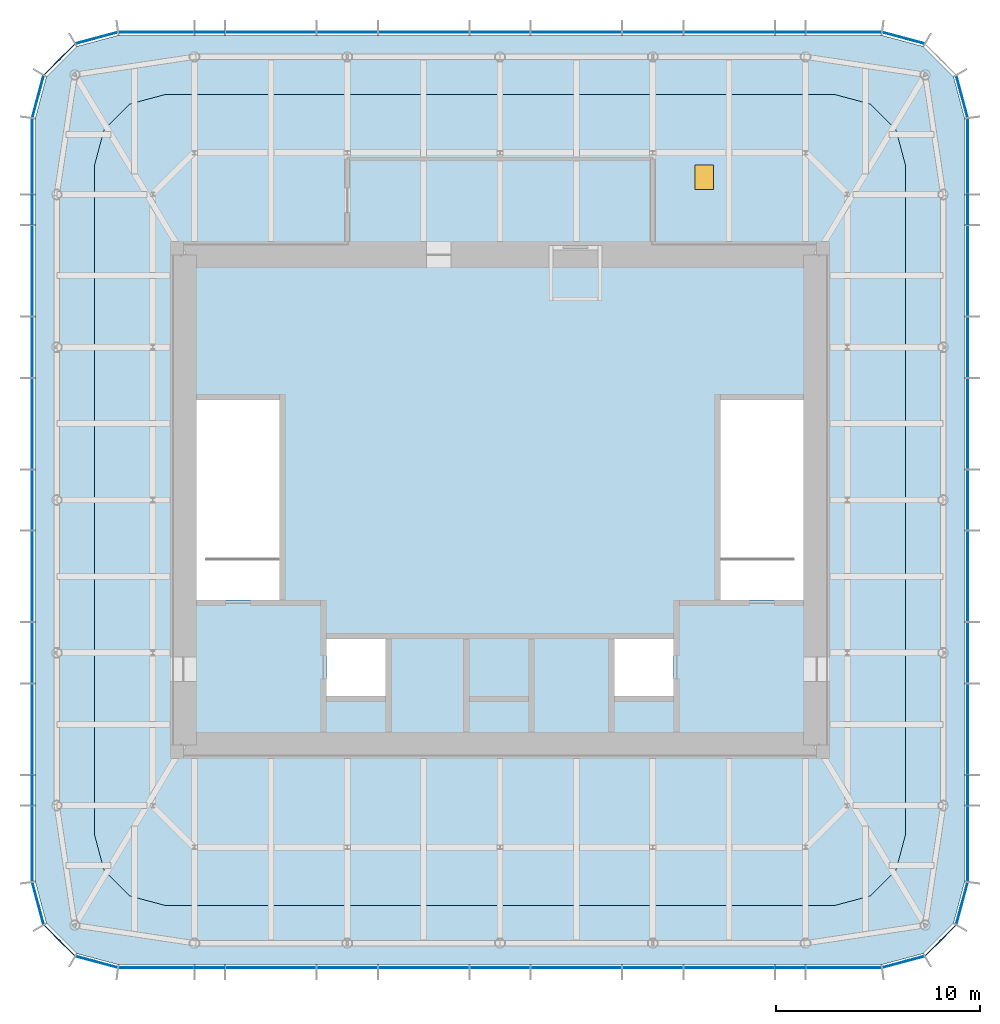
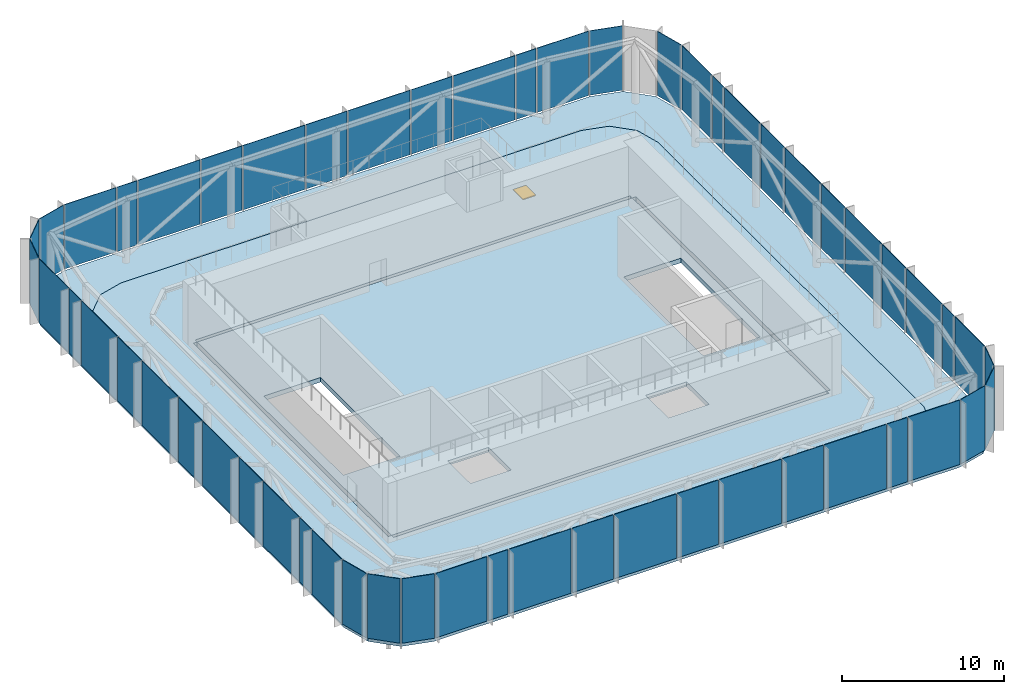
# One storey, part 10 of 12: 55 plates, 3 slabs, 1 door, 1 opening, 8 elements without a shape of their own.
"""IFC4 building model written with IfcOpenShell, lengths in metres."""

import ifcopenshell
import ifcopenshell.guid

model = None  # the IFC model being written
_history = None  # IfcOwnerHistory: only IFC2X3 demands one
_inside = {}  # id of a spatial element -> (the spatial element, [elements in it])
_under = {}  # id of a project, library or spatial element -> (it, [spatial elements below it])
_declared = {}  # id of a project -> (the project, [libraries it declares])
_typed = {}  # id of a type object -> (the type object, [elements of that type])
_made_of = {}  # id of a material, layer set ... -> (it, [elements and type objects made of it])


def new_model(schema):
    """Start an empty IFC model of exactly this schema.

    Asked for "IFC4X3", IfcOpenShell would pick the latest addendum, in which some entities
    have other attributes; the version numbers below select the first issue.
    IFC2X3 requires an IfcOwnerHistory on every rooted entity: one is made here for all.
    """
    global model, _history
    if schema == "IFC4X3":
        model = ifcopenshell.file(schema_version=(4, 3, 0, 0))
    else:
        model = ifcopenshell.file(schema=schema)
    _inside.clear()
    _under.clear()
    _declared.clear()
    _typed.clear()
    _made_of.clear()
    _history = None
    if model.schema == "IFC2X3":
        org = make("IfcOrganization", Name="unknown")
        user = make(
            "IfcPersonAndOrganization",
            ThePerson=make("IfcPerson", FamilyName="unknown"),
            TheOrganization=org,
        )
        app = make(
            "IfcApplication",
            ApplicationDeveloper=org,
            Version="unknown",
            ApplicationFullName="unknown",
            ApplicationIdentifier="unknown",
        )
        _history = make(
            "IfcOwnerHistory",
            OwningUser=user,
            OwningApplication=app,
            ChangeAction="ADDED",
            CreationDate=0,
        )
    return model


def make(cls, **values):
    """One entity of the class cls with the attributes given. An attribute that is None is left unset."""
    return model.create_entity(
        cls, **{name: value for name, value in values.items() if value is not None}
    )


def rooted(cls, **values):
    """An entity with a GlobalId (a new one), such as an element, a storey or a relation."""
    return make(cls, GlobalId=ifcopenshell.guid.new(), OwnerHistory=_history, **values)


def si_unit(unit_type, name, prefix=None):
    """IfcSIUnit, for example si_unit("LENGTHUNIT", "METRE", prefix="MILLI")."""
    return make("IfcSIUnit", UnitType=unit_type, Prefix=prefix, Name=name)


def assignment(units):
    """IfcUnitAssignment: the units of a project."""
    return None if units is None else make("IfcUnitAssignment", Units=units)


def point(xyz):
    """IfcCartesianPoint."""
    return None if xyz is None else make("IfcCartesianPoint", Coordinates=xyz)


def direction(xyz):
    """IfcDirection."""
    return None if xyz is None else make("IfcDirection", DirectionRatios=xyz)


def frame(location, z_axis=None, x_axis=None):
    """IfcAxis2Placement3D, a coordinate frame: its origin and axes. An axis left out is left unset."""
    return make(
        "IfcAxis2Placement3D",
        Location=point(location),
        Axis=direction(z_axis),
        RefDirection=direction(x_axis),
    )


def frame_2d(location, x_axis=None):
    """IfcAxis2Placement2D, a coordinate frame in the plane: its origin and x axis."""
    return make(
        "IfcAxis2Placement2D", Location=point(location), RefDirection=direction(x_axis)
    )


def origin():
    """The frame at (0, 0, 0) with its axes left unset."""
    return frame((0.0, 0.0, 0.0))


def origin_2d():
    """The frame at (0, 0) in the plane with its x axis left unset."""
    return frame_2d((0.0, 0.0))


def place(relative_to, where):
    """IfcLocalPlacement: puts the frame where relative to a parent placement (None: the world)."""
    return make(
        "IfcLocalPlacement", PlacementRelTo=relative_to, RelativePlacement=where
    )


def context(
    kind, dimensions, precision=None, world=None, true_north=None, identifier=None
):
    """IfcGeometricRepresentationContext, for example the 3D "Model" context."""
    return make(
        "IfcGeometricRepresentationContext",
        ContextIdentifier=identifier,
        ContextType=kind,
        CoordinateSpaceDimension=dimensions,
        Precision=precision,
        WorldCoordinateSystem=world,
        TrueNorth=true_north,
    )


def subcontext(parent, identifier, kind, view, scale=None):
    """IfcGeometricRepresentationSubContext, for example "Body" below "Model"."""
    return make(
        "IfcGeometricRepresentationSubContext",
        ContextIdentifier=identifier,
        ContextType=kind,
        ParentContext=parent,
        TargetScale=scale,
        TargetView=view,
    )


def project(units=None, contexts=None):
    """IfcProject with its units and contexts."""
    return rooted(
        "IfcProject",
        Name="project",
        RepresentationContexts=contexts,
        UnitsInContext=assignment(units),
    )


def spatial(cls, under=None, at=None, **own):
    """A site, building, storey or space (cls), placed at a placement, below another one or the project."""
    s = rooted(cls, ObjectPlacement=at, **own)
    if under is not None:
        _under.setdefault(under.id(), (under, []))[1].append(s)
    return s


def polyline(points):
    """IfcPolyline through the points."""
    return make("IfcPolyline", Points=[point(p) for p in points])


def profile(cls, at=None, kind="AREA", **sizes):
    """A parametric profile (cls). Its sizes go by their IFC names, for example OverallWidth=200.0."""
    return make(cls, ProfileType=kind, Position=at, **sizes)


def rectangle(**sizes):
    """IfcRectangleProfileDef."""
    return profile("IfcRectangleProfileDef", **sizes)


def outline(outer, holes=None, kind="AREA"):
    """IfcArbitraryClosedProfileDef: a profile drawn as a closed curve; with holes, ...WithVoids."""
    if holes is None:
        return make("IfcArbitraryClosedProfileDef", ProfileType=kind, OuterCurve=outer)
    return make(
        "IfcArbitraryProfileDefWithVoids",
        ProfileType=kind,
        OuterCurve=outer,
        InnerCurves=holes,
    )


def extrude(swept, where, along, depth):
    """IfcExtrudedAreaSolid: the profile swept, set in the frame where, extruded along a direction by depth."""
    return make(
        "IfcExtrudedAreaSolid",
        SweptArea=swept,
        Position=where,
        ExtrudedDirection=direction(along),
        Depth=depth,
    )


def shape(context_of_items, identifier, shape_type, items):
    """IfcShapeRepresentation: the items that make up one representation, for example the "Body"."""
    return make(
        "IfcShapeRepresentation",
        ContextOfItems=context_of_items,
        RepresentationIdentifier=identifier,
        RepresentationType=shape_type,
        Items=items,
    )


def material(Name=None, Category=None):
    """IfcMaterial."""
    return make("IfcMaterial", Name=Name, Category=Category)


def layer(
    of_material, thickness, ventilated=None, Name=None, Category=None, Priority=None
):
    """IfcMaterialLayer: one layer of a wall or slab, of a material (None: an air gap)."""
    return make(
        "IfcMaterialLayer",
        Material=of_material,
        LayerThickness=thickness,
        IsVentilated=ventilated,
        Name=Name,
        Category=Category,
        Priority=Priority,
    )


def layer_set(layers, Name=None):
    """IfcMaterialLayerSet."""
    return make("IfcMaterialLayerSet", MaterialLayers=layers, LayerSetName=Name)


def made_of(thing, what):
    """Note that an element or type object is made of a material, layer set ...; save() writes the relation."""
    if what is not None:
        _made_of.setdefault(what.id(), (what, []))[1].append(thing)
    return thing


def type_object(cls, material=None, **own):
    """A type object (cls), such as IfcWallType, which elements share."""
    return made_of(rooted(cls, **own), material)


def element(
    cls,
    number,
    at=None,
    inside=None,
    cuts=None,
    type_object=None,
    material=None,
    context=None,
    identifier="Body",
    shape_type=None,
    held_by="IfcProductDefinitionShape",
    body=None,
    shapes=None,
    **own,
):
    """One element of the class cls, such as IfcWall. Its Tag is "e" and its number.

    at: its placement. inside: the storey or other place that contains it. cuts: it is an
    opening in that element (IfcRelVoidsElement). A single representation is given by context,
    identifier, shape_type and body (its items); several are given by shapes. held_by: the class
    of the entity that holds the representations. save() writes the other relations.
    """
    e = rooted(cls, Tag="e%d" % number, ObjectPlacement=at, **own)
    if body is not None:
        shapes = [shape(context, identifier, shape_type, body)]
    if shapes is not None:
        e.Representation = make(held_by, Representations=shapes)
    if inside is not None:
        _inside.setdefault(inside.id(), (inside, []))[1].append(e)
    if cuts is not None:
        rooted(
            "IfcRelVoidsElement", RelatingBuildingElement=cuts, RelatedOpeningElement=e
        )
    if type_object is not None:
        _typed.setdefault(type_object.id(), (type_object, []))[1].append(e)
    return made_of(e, material)


def fill(opening, filler):
    """IfcRelFillsElement: the door or window that sits in an opening."""
    return rooted(
        "IfcRelFillsElement",
        RelatingOpeningElement=opening,
        RelatedBuildingElement=filler,
    )


def aggregate(whole, parts):
    """IfcRelAggregates: a whole, such as a stair, and the parts it consists of."""
    return rooted("IfcRelAggregates", RelatingObject=whole, RelatedObjects=parts)


def save(model, path):
    """Write the relations noted so far, then the file.

    IfcRelAggregates (storeys below a building ...), IfcRelContainedInSpatialStructure (elements
    in a storey), IfcRelDefinesByType, IfcRelAssociatesMaterial and IfcRelDeclares: one each for
    every whole, place, type object, material and project.
    """
    for whole, parts in _under.values():
        aggregate(whole, parts)
    for where, things in _inside.values():
        rooted(
            "IfcRelContainedInSpatialStructure",
            RelatedElements=things,
            RelatingStructure=where,
        )
    for kind, things in _typed.values():
        rooted("IfcRelDefinesByType", RelatedObjects=things, RelatingType=kind)
    for what, things in _made_of.values():
        rooted("IfcRelAssociatesMaterial", RelatedObjects=things, RelatingMaterial=what)
    for by, libraries in _declared.values():
        rooted("IfcRelDeclares", RelatingContext=by, RelatedDefinitions=libraries)
    model.write(path)


model = new_model("IFC4")

# Units and contexts
model_context = context("Model", 3, precision=1e-05, world=origin(), true_north=direction((0.0, 1.0)))
body_context = subcontext(model_context, "Body", "Model", "MODEL_VIEW")
ifc_project = project(units=[si_unit("LENGTHUNIT", "METRE"), si_unit("AREAUNIT", "SQUARE_METRE"), si_unit("VOLUMEUNIT", "CUBIC_METRE"), si_unit("PLANEANGLEUNIT", "RADIAN"), si_unit("MASSUNIT", "GRAM", prefix="KILO")], contexts=[model_context])

# Site, building, storey
site_placement = place(None, origin())
site = spatial("IfcSite", under=ifc_project, at=site_placement, CompositionType="ELEMENT")
building_placement = place(site_placement, origin())
building = spatial("IfcBuilding", under=site, at=building_placement, Name="Khuree Lantern Residences", CompositionType="ELEMENT")
storey_placement = place(building_placement, frame((0.0, 0.0, 363.25)))
storey = spatial("IfcBuildingStorey", under=building, at=storey_placement, Name="RF", CompositionType="ELEMENT", Elevation=363.25)

# Slab
ifc_material_1 = material(Name="Concrete C35/45", Category="concrete")
ifc_layer_1 = layer(ifc_material_1, 0.35009765625)
ifc_layer_set_1 = layer_set([ifc_layer_1], Name="CFL350 CORE FLOOR SLAB 350")
slab_type_1 = type_object("IfcSlabType", Name="CFL350 CORE FLOOR SLAB 350", PredefinedType="FLOOR", material=ifc_layer_set_1)
slab_1_placement = place(storey_placement, frame((0.0, 0.0, -0.35009765625)))
element("IfcSlab", 1, at=slab_1_placement, inside=storey, type_object=slab_type_1, Name="Core floor RF", PredefinedType="FLOOR", context=body_context, shape_type="SweptSolid", body=[
    extrude(outline(polyline([(-15.5, -12.0), (-15.5, 12.0), (15.5, 12.0), (15.5, -12.0), (-15.5, -12.0)]), holes=[polyline([(10.800048828125, -4.89990234375), (14.85009765625, -4.89990234375), (14.85009765625, 4.89990234375), (10.800048828125, 4.89990234375), (10.800048828125, -4.89990234375)]), polyline([(5.60009765625, -9.60009765625), (8.5, -9.60009765625), (8.5, -6.800048828125), (5.60009765625, -6.800048828125), (5.60009765625, -9.60009765625)]), polyline([(-8.5, -9.60009765625), (-5.60009765625, -9.60009765625), (-5.60009765625, -6.800048828125), (-8.5, -6.800048828125), (-8.5, -9.60009765625)]), polyline([(-14.85009765625, -4.89990234375), (-10.800048828125, -4.89990234375), (-10.800048828125, 4.89990234375), (-14.85009765625, 4.89990234375), (-14.85009765625, -4.89990234375)])]), origin(), (0.0, 0.0, 1.0), 0.35009765625),
])

# Curtain wall, plates
ifc_material_2 = material(Name="Bronze anodised aluminium", Category="aluminium")
curtain_wall_type = type_object("IfcCurtainWallType", Name="CW-L LANTERN CROWN CURTAIN WALL", PredefinedType="USERDEFINED", material=ifc_material_2)
curtain_wall_1_placement = place(storey_placement, origin())
curtain_wall_1 = element("IfcCurtainWall", 2, at=curtain_wall_1_placement, inside=storey, type_object=curtain_wall_type, Name="RF SOUTH-EAST CORNER CURTAIN WALL", ObjectType="Lantern curtain wall", PredefinedType="USERDEFINED")
ifc_material_3 = material(Name="Bronze fritted laminated glass over an insulated spandrel back pan", Category="glass")
ifc_layer_2 = layer(ifc_material_3, 0.0400390625)
ifc_layer_set_2 = layer_set([ifc_layer_2], Name="LANTERN SHADOW BOX PANEL P8")
plate_type = type_object("IfcPlateType", Name="LANTERN SHADOW BOX PANEL P8", PredefinedType="CURTAIN_PANEL", material=ifc_layer_set_2)
plate_1_placement = place(storey_placement, frame((19.748291015625, -22.619140625, 0.0), z_axis=(0.0, 0.0, 1.0), x_axis=(0.965925861257, 0.2588189146, 0.0)))
plate_1 = element("IfcPlate", 3, at=plate_1_placement, type_object=plate_type, Name="RF SOUTH-EAST CORNER PANEL 1.1", PredefinedType="CURTAIN_PANEL", context=body_context, shape_type="SweptSolid", body=[
    extrude(rectangle(XDim=2.08935546875, YDim=0.0400390625, at=origin_2d()), origin(), (0.0, 0.0, 1.0), 4.85009765625),
])
plate_2_placement = place(storey_placement, frame((21.568603515625, -21.568603515625, 0.0), z_axis=(0.0, 0.0, 1.0), x_axis=(0.707106781187, 0.707106781187, 0.0)))
plate_2 = element("IfcPlate", 4, at=plate_2_placement, type_object=plate_type, Name="RF SOUTH-EAST CORNER PANEL 2.1", PredefinedType="CURTAIN_PANEL", context=body_context, shape_type="SweptSolid", body=[
    extrude(rectangle(XDim=2.085693359375, YDim=0.0400390625, at=origin_2d()), origin(), (0.0, 0.0, 1.0), 4.85009765625),
])
plate_3_placement = place(storey_placement, frame((22.619140625, -19.748291015625, 0.0), z_axis=(0.0, 0.0, 1.0), x_axis=(0.2588189146, 0.965925861257, 0.0)))
plate_3 = element("IfcPlate", 5, at=plate_3_placement, type_object=plate_type, Name="RF SOUTH-EAST CORNER PANEL 3.1", PredefinedType="CURTAIN_PANEL", context=body_context, shape_type="SweptSolid", body=[
    extrude(rectangle(XDim=2.08935546875, YDim=0.0400390625, at=origin_2d()), origin(), (0.0, 0.0, 1.0), 4.85009765625),
])
aggregate(curtain_wall_1, [plate_1, plate_2, plate_3])

curtain_wall_2_placement = place(storey_placement, origin())
curtain_wall_2 = element("IfcCurtainWall", 6, at=curtain_wall_2_placement, inside=storey, type_object=curtain_wall_type, Name="RF EAST FACE CURTAIN WALL", ObjectType="Lantern curtain wall", PredefinedType="USERDEFINED")
plate_4_placement = place(storey_placement, frame((22.89990234375, -16.82861328125, 0.0), z_axis=(0.0, 0.0, 1.0), x_axis=(0.0, 1.0, 0.0)))
plate_4 = element("IfcPlate", 7, at=plate_4_placement, type_object=plate_type, Name="RF EAST FACE PANEL 4.1", PredefinedType="CURTAIN_PANEL", context=body_context, shape_type="SweptSolid", body=[
    extrude(rectangle(XDim=3.662109375, YDim=0.0400390625, at=origin_2d()), origin(), (0.0, 0.0, 1.0), 4.85009765625),
])
plate_5_placement = place(storey_placement, frame((22.89990234375, -14.2119140625, 0.0), z_axis=(0.0, 0.0, 1.0), x_axis=(0.0, 1.0, 0.0)))
plate_5 = element("IfcPlate", 8, at=plate_5_placement, type_object=plate_type, Name="RF EAST FACE PANEL 5.1", PredefinedType="CURTAIN_PANEL", context=body_context, shape_type="SweptSolid", body=[
    extrude(rectangle(XDim=1.4208984375, YDim=0.0400390625, at=origin_2d()), origin(), (0.0, 0.0, 1.0), 4.85009765625),
])
plate_6_placement = place(storey_placement, frame((22.89990234375, -11.219970703125, 0.0), z_axis=(0.0, 0.0, 1.0), x_axis=(0.0, 1.0, 0.0)))
plate_6 = element("IfcPlate", 9, at=plate_6_placement, type_object=plate_type, Name="RF EAST FACE PANEL 6.1", PredefinedType="CURTAIN_PANEL", context=body_context, shape_type="SweptSolid", body=[
    extrude(rectangle(XDim=4.4130859375, YDim=0.0400390625, at=origin_2d()), origin(), (0.0, 0.0, 1.0), 4.85009765625),
])
plate_7_placement = place(storey_placement, frame((22.89990234375, -7.47998046875, 0.0), z_axis=(0.0, 0.0, 1.0), x_axis=(0.0, 1.0, 0.0)))
plate_7 = element("IfcPlate", 10, at=plate_7_placement, type_object=plate_type, Name="RF EAST FACE PANEL 7.1", PredefinedType="CURTAIN_PANEL", context=body_context, shape_type="SweptSolid", body=[
    extrude(rectangle(XDim=2.9169921875, YDim=0.0400390625, at=origin_2d()), origin(), (0.0, 0.0, 1.0), 4.85009765625),
])
plate_8_placement = place(storey_placement, frame((22.89990234375, -3.739990234375, 0.0), z_axis=(0.0, 0.0, 1.0), x_axis=(0.0, 1.0, 0.0)))
plate_8 = element("IfcPlate", 11, at=plate_8_placement, type_object=plate_type, Name="RF EAST FACE PANEL 8.1", PredefinedType="CURTAIN_PANEL", context=body_context, shape_type="SweptSolid", body=[
    extrude(rectangle(XDim=4.4130859375, YDim=0.0400390625, at=origin_2d()), origin(), (0.0, 0.0, 1.0), 4.85009765625),
])
plate_9_placement = place(storey_placement, frame((22.89990234375, 0.0, 0.0), z_axis=(0.0, 0.0, 1.0), x_axis=(0.0, 1.0, 0.0)))
plate_9 = element("IfcPlate", 12, at=plate_9_placement, type_object=plate_type, Name="RF EAST FACE PANEL 9.1", PredefinedType="CURTAIN_PANEL", context=body_context, shape_type="SweptSolid", body=[
    extrude(rectangle(XDim=2.9169921875, YDim=0.0400390625, at=origin_2d()), origin(), (0.0, 0.0, 1.0), 4.85009765625),
])
plate_10_placement = place(storey_placement, frame((22.89990234375, 3.739990234375, 0.0), z_axis=(0.0, 0.0, 1.0), x_axis=(0.0, 1.0, 0.0)))
plate_10 = element("IfcPlate", 13, at=plate_10_placement, type_object=plate_type, Name="RF EAST FACE PANEL 10.1", PredefinedType="CURTAIN_PANEL", context=body_context, shape_type="SweptSolid", body=[
    extrude(rectangle(XDim=4.4130859375, YDim=0.0400390625, at=origin_2d()), origin(), (0.0, 0.0, 1.0), 4.85009765625),
])
plate_11_placement = place(storey_placement, frame((22.89990234375, 7.47998046875, 0.0), z_axis=(0.0, 0.0, 1.0), x_axis=(0.0, 1.0, 0.0)))
plate_11 = element("IfcPlate", 14, at=plate_11_placement, type_object=plate_type, Name="RF EAST FACE PANEL 11.1", PredefinedType="CURTAIN_PANEL", context=body_context, shape_type="SweptSolid", body=[
    extrude(rectangle(XDim=2.9169921875, YDim=0.0400390625, at=origin_2d()), origin(), (0.0, 0.0, 1.0), 4.85009765625),
])
plate_12_placement = place(storey_placement, frame((22.89990234375, 11.219970703125, 0.0), z_axis=(0.0, 0.0, 1.0), x_axis=(0.0, 1.0, 0.0)))
plate_12 = element("IfcPlate", 15, at=plate_12_placement, type_object=plate_type, Name="RF EAST FACE PANEL 12.1", PredefinedType="CURTAIN_PANEL", context=body_context, shape_type="SweptSolid", body=[
    extrude(rectangle(XDim=4.4130859375, YDim=0.0400390625, at=origin_2d()), origin(), (0.0, 0.0, 1.0), 4.85009765625),
])
plate_13_placement = place(storey_placement, frame((22.89990234375, 14.2119140625, 0.0), z_axis=(0.0, 0.0, 1.0), x_axis=(0.0, 1.0, 0.0)))
plate_13 = element("IfcPlate", 16, at=plate_13_placement, type_object=plate_type, Name="RF EAST FACE PANEL 13.1", PredefinedType="CURTAIN_PANEL", context=body_context, shape_type="SweptSolid", body=[
    extrude(rectangle(XDim=1.4208984375, YDim=0.0400390625, at=origin_2d()), origin(), (0.0, 0.0, 1.0), 4.85009765625),
])
plate_14_placement = place(storey_placement, frame((22.89990234375, 16.82861328125, 0.0), z_axis=(0.0, 0.0, 1.0), x_axis=(0.0, 1.0, 0.0)))
plate_14 = element("IfcPlate", 17, at=plate_14_placement, type_object=plate_type, Name="RF EAST FACE PANEL 14.1", PredefinedType="CURTAIN_PANEL", context=body_context, shape_type="SweptSolid", body=[
    extrude(rectangle(XDim=3.662109375, YDim=0.0400390625, at=origin_2d()), origin(), (0.0, 0.0, 1.0), 4.85009765625),
])
aggregate(curtain_wall_2, [plate_4, plate_5, plate_6, plate_7, plate_8, plate_9, plate_10, plate_11, plate_12, plate_13, plate_14])

curtain_wall_3_placement = place(storey_placement, origin())
curtain_wall_3 = element("IfcCurtainWall", 18, at=curtain_wall_3_placement, inside=storey, type_object=curtain_wall_type, Name="RF NORTH-EAST CORNER CURTAIN WALL", ObjectType="Lantern curtain wall", PredefinedType="USERDEFINED")
plate_15_placement = place(storey_placement, frame((22.619140625, 19.748291015625, 0.0), z_axis=(0.0, 0.0, 1.0), x_axis=(-0.2588189146, 0.965925861257, 0.0)))
plate_15 = element("IfcPlate", 19, at=plate_15_placement, type_object=plate_type, Name="RF NORTH-EAST CORNER PANEL 15.1", PredefinedType="CURTAIN_PANEL", context=body_context, shape_type="SweptSolid", body=[
    extrude(rectangle(XDim=2.08935546875, YDim=0.0400390625, at=origin_2d()), origin(), (0.0, 0.0, 1.0), 4.85009765625),
])
plate_16_placement = place(storey_placement, frame((19.748291015625, 22.619140625, 0.0), z_axis=(0.0, 0.0, 1.0), x_axis=(-0.965925861257, 0.2588189146, 0.0)))
plate_16 = element("IfcPlate", 20, at=plate_16_placement, type_object=plate_type, Name="RF NORTH-EAST CORNER PANEL 17.1", PredefinedType="CURTAIN_PANEL", context=body_context, shape_type="SweptSolid", body=[
    extrude(rectangle(XDim=2.08935546875, YDim=0.0400390625, at=origin_2d()), origin(), (0.0, 0.0, 1.0), 4.85009765625),
])
aggregate(curtain_wall_3, [plate_15, plate_16])

curtain_wall_4_placement = place(storey_placement, origin())
curtain_wall_4 = element("IfcCurtainWall", 21, at=curtain_wall_4_placement, inside=storey, type_object=curtain_wall_type, Name="RF NORTH FACE CURTAIN WALL", ObjectType="Lantern curtain wall", PredefinedType="USERDEFINED")
plate_17_placement = place(storey_placement, frame((16.82861328125, 22.89990234375, 0.0), z_axis=(0.0, 0.0, 1.0), x_axis=(-1.0, 0.0, 0.0)))
plate_17 = element("IfcPlate", 22, at=plate_17_placement, type_object=plate_type, Name="RF NORTH FACE PANEL 18.1", PredefinedType="CURTAIN_PANEL", context=body_context, shape_type="SweptSolid", body=[
    extrude(rectangle(XDim=3.662109375, YDim=0.0400390625, at=origin_2d()), origin(), (0.0, 0.0, 1.0), 4.85009765625),
])
plate_18_placement = place(storey_placement, frame((14.2119140625, 22.89990234375, 0.0), z_axis=(0.0, 0.0, 1.0), x_axis=(-1.0, 0.0, 0.0)))
plate_18 = element("IfcPlate", 23, at=plate_18_placement, type_object=plate_type, Name="RF NORTH FACE PANEL 19.1", PredefinedType="CURTAIN_PANEL", context=body_context, shape_type="SweptSolid", body=[
    extrude(rectangle(XDim=1.4208984375, YDim=0.0400390625, at=origin_2d()), origin(), (0.0, 0.0, 1.0), 4.85009765625),
])
plate_19_placement = place(storey_placement, frame((11.219970703125, 22.89990234375, 0.0), z_axis=(0.0, 0.0, 1.0), x_axis=(-1.0, 0.0, 0.0)))
plate_19 = element("IfcPlate", 24, at=plate_19_placement, type_object=plate_type, Name="RF NORTH FACE PANEL 20.1", PredefinedType="CURTAIN_PANEL", context=body_context, shape_type="SweptSolid", body=[
    extrude(rectangle(XDim=4.4130859375, YDim=0.0400390625, at=origin_2d()), origin(), (0.0, 0.0, 1.0), 4.85009765625),
])
plate_20_placement = place(storey_placement, frame((7.47998046875, 22.89990234375, 0.0), z_axis=(0.0, 0.0, 1.0), x_axis=(-1.0, 0.0, 0.0)))
plate_20 = element("IfcPlate", 25, at=plate_20_placement, type_object=plate_type, Name="RF NORTH FACE PANEL 21.1", PredefinedType="CURTAIN_PANEL", context=body_context, shape_type="SweptSolid", body=[
    extrude(rectangle(XDim=2.9169921875, YDim=0.0400390625, at=origin_2d()), origin(), (0.0, 0.0, 1.0), 4.85009765625),
])
plate_21_placement = place(storey_placement, frame((3.739990234375, 22.89990234375, 0.0), z_axis=(0.0, 0.0, 1.0), x_axis=(-1.0, 0.0, 0.0)))
plate_21 = element("IfcPlate", 26, at=plate_21_placement, type_object=plate_type, Name="RF NORTH FACE PANEL 22.1", PredefinedType="CURTAIN_PANEL", context=body_context, shape_type="SweptSolid", body=[
    extrude(rectangle(XDim=4.4130859375, YDim=0.0400390625, at=origin_2d()), origin(), (0.0, 0.0, 1.0), 4.85009765625),
])
plate_22_placement = place(storey_placement, frame((0.0, 22.89990234375, 0.0), z_axis=(0.0, 0.0, 1.0), x_axis=(-1.0, 0.0, 0.0)))
plate_22 = element("IfcPlate", 27, at=plate_22_placement, type_object=plate_type, Name="RF NORTH FACE PANEL 23.1", PredefinedType="CURTAIN_PANEL", context=body_context, shape_type="SweptSolid", body=[
    extrude(rectangle(XDim=2.9169921875, YDim=0.0400390625, at=origin_2d()), origin(), (0.0, 0.0, 1.0), 4.85009765625),
])
plate_23_placement = place(storey_placement, frame((-3.739990234375, 22.89990234375, 0.0), z_axis=(0.0, 0.0, 1.0), x_axis=(-1.0, 0.0, 0.0)))
plate_23 = element("IfcPlate", 28, at=plate_23_placement, type_object=plate_type, Name="RF NORTH FACE PANEL 24.1", PredefinedType="CURTAIN_PANEL", context=body_context, shape_type="SweptSolid", body=[
    extrude(rectangle(XDim=4.4130859375, YDim=0.0400390625, at=origin_2d()), origin(), (0.0, 0.0, 1.0), 4.85009765625),
])
plate_24_placement = place(storey_placement, frame((-7.47998046875, 22.89990234375, 0.0), z_axis=(0.0, 0.0, 1.0), x_axis=(-1.0, 0.0, 0.0)))
plate_24 = element("IfcPlate", 29, at=plate_24_placement, type_object=plate_type, Name="RF NORTH FACE PANEL 25.1", PredefinedType="CURTAIN_PANEL", context=body_context, shape_type="SweptSolid", body=[
    extrude(rectangle(XDim=2.9169921875, YDim=0.0400390625, at=origin_2d()), origin(), (0.0, 0.0, 1.0), 4.85009765625),
])
plate_25_placement = place(storey_placement, frame((-11.219970703125, 22.89990234375, 0.0), z_axis=(0.0, 0.0, 1.0), x_axis=(-1.0, 0.0, 0.0)))
plate_25 = element("IfcPlate", 30, at=plate_25_placement, type_object=plate_type, Name="RF NORTH FACE PANEL 26.1", PredefinedType="CURTAIN_PANEL", context=body_context, shape_type="SweptSolid", body=[
    extrude(rectangle(XDim=4.4130859375, YDim=0.0400390625, at=origin_2d()), origin(), (0.0, 0.0, 1.0), 4.85009765625),
])
plate_26_placement = place(storey_placement, frame((-14.2119140625, 22.89990234375, 0.0), z_axis=(0.0, 0.0, 1.0), x_axis=(-1.0, 0.0, 0.0)))
plate_26 = element("IfcPlate", 31, at=plate_26_placement, type_object=plate_type, Name="RF NORTH FACE PANEL 27.1", PredefinedType="CURTAIN_PANEL", context=body_context, shape_type="SweptSolid", body=[
    extrude(rectangle(XDim=1.4208984375, YDim=0.0400390625, at=origin_2d()), origin(), (0.0, 0.0, 1.0), 4.85009765625),
])
plate_27_placement = place(storey_placement, frame((-16.82861328125, 22.89990234375, 0.0), z_axis=(0.0, 0.0, 1.0), x_axis=(-1.0, 0.0, 0.0)))
plate_27 = element("IfcPlate", 32, at=plate_27_placement, type_object=plate_type, Name="RF NORTH FACE PANEL 28.1", PredefinedType="CURTAIN_PANEL", context=body_context, shape_type="SweptSolid", body=[
    extrude(rectangle(XDim=3.662109375, YDim=0.0400390625, at=origin_2d()), origin(), (0.0, 0.0, 1.0), 4.85009765625),
])
aggregate(curtain_wall_4, [plate_17, plate_18, plate_19, plate_20, plate_21, plate_22, plate_23, plate_24, plate_25, plate_26, plate_27])

curtain_wall_5_placement = place(storey_placement, origin())
curtain_wall_5 = element("IfcCurtainWall", 33, at=curtain_wall_5_placement, inside=storey, type_object=curtain_wall_type, Name="RF NORTH-WEST CORNER CURTAIN WALL", ObjectType="Lantern curtain wall", PredefinedType="USERDEFINED")
plate_28_placement = place(storey_placement, frame((-19.748291015625, 22.619140625, 0.0), z_axis=(0.0, 0.0, 1.0), x_axis=(-0.965925861257, -0.2588189146, 0.0)))
plate_28 = element("IfcPlate", 34, at=plate_28_placement, type_object=plate_type, Name="RF NORTH-WEST CORNER PANEL 29.1", PredefinedType="CURTAIN_PANEL", context=body_context, shape_type="SweptSolid", body=[
    extrude(rectangle(XDim=2.08935546875, YDim=0.0400390625, at=origin_2d()), origin(), (0.0, 0.0, 1.0), 4.85009765625),
])
plate_29_placement = place(storey_placement, frame((-21.568603515625, 21.568603515625, 0.0), z_axis=(0.0, 0.0, 1.0), x_axis=(-0.707106781187, -0.707106781187, 0.0)))
plate_29 = element("IfcPlate", 35, at=plate_29_placement, type_object=plate_type, Name="RF NORTH-WEST CORNER PANEL 30.1", PredefinedType="CURTAIN_PANEL", context=body_context, shape_type="SweptSolid", body=[
    extrude(rectangle(XDim=2.085693359375, YDim=0.0400390625, at=origin_2d()), origin(), (0.0, 0.0, 1.0), 4.85009765625),
])
plate_30_placement = place(storey_placement, frame((-22.619140625, 19.748291015625, 0.0), z_axis=(0.0, 0.0, 1.0), x_axis=(-0.2588189146, -0.965925861257, 0.0)))
plate_30 = element("IfcPlate", 36, at=plate_30_placement, type_object=plate_type, Name="RF NORTH-WEST CORNER PANEL 31.1", PredefinedType="CURTAIN_PANEL", context=body_context, shape_type="SweptSolid", body=[
    extrude(rectangle(XDim=2.08935546875, YDim=0.0400390625, at=origin_2d()), origin(), (0.0, 0.0, 1.0), 4.85009765625),
])
aggregate(curtain_wall_5, [plate_28, plate_29, plate_30])

curtain_wall_6_placement = place(storey_placement, origin())
curtain_wall_6 = element("IfcCurtainWall", 37, at=curtain_wall_6_placement, inside=storey, type_object=curtain_wall_type, Name="RF WEST FACE CURTAIN WALL", ObjectType="Lantern curtain wall", PredefinedType="USERDEFINED")
plate_31_placement = place(storey_placement, frame((-22.89990234375, 16.82861328125, 0.0), z_axis=(0.0, 0.0, 1.0), x_axis=(0.0, -1.0, 0.0)))
plate_31 = element("IfcPlate", 38, at=plate_31_placement, type_object=plate_type, Name="RF WEST FACE PANEL 32.1", PredefinedType="CURTAIN_PANEL", context=body_context, shape_type="SweptSolid", body=[
    extrude(rectangle(XDim=3.662109375, YDim=0.0400390625, at=origin_2d()), origin(), (0.0, 0.0, 1.0), 4.85009765625),
])
plate_32_placement = place(storey_placement, frame((-22.89990234375, 14.2119140625, 0.0), z_axis=(0.0, 0.0, 1.0), x_axis=(0.0, -1.0, 0.0)))
plate_32 = element("IfcPlate", 39, at=plate_32_placement, type_object=plate_type, Name="RF WEST FACE PANEL 33.1", PredefinedType="CURTAIN_PANEL", context=body_context, shape_type="SweptSolid", body=[
    extrude(rectangle(XDim=1.4208984375, YDim=0.0400390625, at=origin_2d()), origin(), (0.0, 0.0, 1.0), 4.85009765625),
])
plate_33_placement = place(storey_placement, frame((-22.89990234375, 11.219970703125, 0.0), z_axis=(0.0, 0.0, 1.0), x_axis=(0.0, -1.0, 0.0)))
plate_33 = element("IfcPlate", 40, at=plate_33_placement, type_object=plate_type, Name="RF WEST FACE PANEL 34.1", PredefinedType="CURTAIN_PANEL", context=body_context, shape_type="SweptSolid", body=[
    extrude(rectangle(XDim=4.4130859375, YDim=0.0400390625, at=origin_2d()), origin(), (0.0, 0.0, 1.0), 4.85009765625),
])
plate_34_placement = place(storey_placement, frame((-22.89990234375, 7.47998046875, 0.0), z_axis=(0.0, 0.0, 1.0), x_axis=(0.0, -1.0, 0.0)))
plate_34 = element("IfcPlate", 41, at=plate_34_placement, type_object=plate_type, Name="RF WEST FACE PANEL 35.1", PredefinedType="CURTAIN_PANEL", context=body_context, shape_type="SweptSolid", body=[
    extrude(rectangle(XDim=2.9169921875, YDim=0.0400390625, at=origin_2d()), origin(), (0.0, 0.0, 1.0), 4.85009765625),
])
plate_35_placement = place(storey_placement, frame((-22.89990234375, 3.739990234375, 0.0), z_axis=(0.0, 0.0, 1.0), x_axis=(0.0, -1.0, 0.0)))
plate_35 = element("IfcPlate", 42, at=plate_35_placement, type_object=plate_type, Name="RF WEST FACE PANEL 36.1", PredefinedType="CURTAIN_PANEL", context=body_context, shape_type="SweptSolid", body=[
    extrude(rectangle(XDim=4.4130859375, YDim=0.0400390625, at=origin_2d()), origin(), (0.0, 0.0, 1.0), 4.85009765625),
])
plate_36_placement = place(storey_placement, frame((-22.89990234375, 0.0, 0.0), z_axis=(0.0, 0.0, 1.0), x_axis=(0.0, -1.0, 0.0)))
plate_36 = element("IfcPlate", 43, at=plate_36_placement, type_object=plate_type, Name="RF WEST FACE PANEL 37.1", PredefinedType="CURTAIN_PANEL", context=body_context, shape_type="SweptSolid", body=[
    extrude(rectangle(XDim=2.9169921875, YDim=0.0400390625, at=origin_2d()), origin(), (0.0, 0.0, 1.0), 4.85009765625),
])
plate_37_placement = place(storey_placement, frame((-22.89990234375, -3.739990234375, 0.0), z_axis=(0.0, 0.0, 1.0), x_axis=(0.0, -1.0, 0.0)))
plate_37 = element("IfcPlate", 44, at=plate_37_placement, type_object=plate_type, Name="RF WEST FACE PANEL 38.1", PredefinedType="CURTAIN_PANEL", context=body_context, shape_type="SweptSolid", body=[
    extrude(rectangle(XDim=4.4130859375, YDim=0.0400390625, at=origin_2d()), origin(), (0.0, 0.0, 1.0), 4.85009765625),
])
plate_38_placement = place(storey_placement, frame((-22.89990234375, -7.47998046875, 0.0), z_axis=(0.0, 0.0, 1.0), x_axis=(0.0, -1.0, 0.0)))
plate_38 = element("IfcPlate", 45, at=plate_38_placement, type_object=plate_type, Name="RF WEST FACE PANEL 39.1", PredefinedType="CURTAIN_PANEL", context=body_context, shape_type="SweptSolid", body=[
    extrude(rectangle(XDim=2.9169921875, YDim=0.0400390625, at=origin_2d()), origin(), (0.0, 0.0, 1.0), 4.85009765625),
])
plate_39_placement = place(storey_placement, frame((-22.89990234375, -11.219970703125, 0.0), z_axis=(0.0, 0.0, 1.0), x_axis=(0.0, -1.0, 0.0)))
plate_39 = element("IfcPlate", 46, at=plate_39_placement, type_object=plate_type, Name="RF WEST FACE PANEL 40.1", PredefinedType="CURTAIN_PANEL", context=body_context, shape_type="SweptSolid", body=[
    extrude(rectangle(XDim=4.4130859375, YDim=0.0400390625, at=origin_2d()), origin(), (0.0, 0.0, 1.0), 4.85009765625),
])
plate_40_placement = place(storey_placement, frame((-22.89990234375, -14.2119140625, 0.0), z_axis=(0.0, 0.0, 1.0), x_axis=(0.0, -1.0, 0.0)))
plate_40 = element("IfcPlate", 47, at=plate_40_placement, type_object=plate_type, Name="RF WEST FACE PANEL 41.1", PredefinedType="CURTAIN_PANEL", context=body_context, shape_type="SweptSolid", body=[
    extrude(rectangle(XDim=1.4208984375, YDim=0.0400390625, at=origin_2d()), origin(), (0.0, 0.0, 1.0), 4.85009765625),
])
plate_41_placement = place(storey_placement, frame((-22.89990234375, -16.82861328125, 0.0), z_axis=(0.0, 0.0, 1.0), x_axis=(0.0, -1.0, 0.0)))
plate_41 = element("IfcPlate", 48, at=plate_41_placement, type_object=plate_type, Name="RF WEST FACE PANEL 42.1", PredefinedType="CURTAIN_PANEL", context=body_context, shape_type="SweptSolid", body=[
    extrude(rectangle(XDim=3.662109375, YDim=0.0400390625, at=origin_2d()), origin(), (0.0, 0.0, 1.0), 4.85009765625),
])
aggregate(curtain_wall_6, [plate_31, plate_32, plate_33, plate_34, plate_35, plate_36, plate_37, plate_38, plate_39, plate_40, plate_41])

curtain_wall_7_placement = place(storey_placement, origin())
curtain_wall_7 = element("IfcCurtainWall", 49, at=curtain_wall_7_placement, inside=storey, type_object=curtain_wall_type, Name="RF SOUTH-WEST CORNER CURTAIN WALL", ObjectType="Lantern curtain wall", PredefinedType="USERDEFINED")
plate_42_placement = place(storey_placement, frame((-22.619140625, -19.748291015625, 0.0), z_axis=(0.0, 0.0, 1.0), x_axis=(0.2588189146, -0.965925861257, 0.0)))
plate_42 = element("IfcPlate", 50, at=plate_42_placement, type_object=plate_type, Name="RF SOUTH-WEST CORNER PANEL 43.1", PredefinedType="CURTAIN_PANEL", context=body_context, shape_type="SweptSolid", body=[
    extrude(rectangle(XDim=2.08935546875, YDim=0.0400390625, at=origin_2d()), origin(), (0.0, 0.0, 1.0), 4.85009765625),
])
plate_43_placement = place(storey_placement, frame((-21.568603515625, -21.568603515625, 0.0), z_axis=(0.0, 0.0, 1.0), x_axis=(0.707106781187, -0.707106781187, 0.0)))
plate_43 = element("IfcPlate", 51, at=plate_43_placement, type_object=plate_type, Name="RF SOUTH-WEST CORNER PANEL 44.1", PredefinedType="CURTAIN_PANEL", context=body_context, shape_type="SweptSolid", body=[
    extrude(rectangle(XDim=2.085693359375, YDim=0.0400390625, at=origin_2d()), origin(), (0.0, 0.0, 1.0), 4.85009765625),
])
plate_44_placement = place(storey_placement, frame((-19.748291015625, -22.619140625, 0.0), z_axis=(0.0, 0.0, 1.0), x_axis=(0.965925861257, -0.2588189146, 0.0)))
plate_44 = element("IfcPlate", 52, at=plate_44_placement, type_object=plate_type, Name="RF SOUTH-WEST CORNER PANEL 45.1", PredefinedType="CURTAIN_PANEL", context=body_context, shape_type="SweptSolid", body=[
    extrude(rectangle(XDim=2.08935546875, YDim=0.0400390625, at=origin_2d()), origin(), (0.0, 0.0, 1.0), 4.85009765625),
])
aggregate(curtain_wall_7, [plate_42, plate_43, plate_44])

curtain_wall_8_placement = place(storey_placement, origin())
curtain_wall_8 = element("IfcCurtainWall", 53, at=curtain_wall_8_placement, inside=storey, type_object=curtain_wall_type, Name="RF SOUTH FACE CURTAIN WALL", ObjectType="Lantern curtain wall", PredefinedType="USERDEFINED")
plate_45_placement = place(storey_placement, frame((-16.82861328125, -22.89990234375, 0.0), z_axis=(0.0, 0.0, 1.0), x_axis=(1.0, 0.0, 0.0)))
plate_45 = element("IfcPlate", 54, at=plate_45_placement, type_object=plate_type, Name="RF SOUTH FACE PANEL 46.1", PredefinedType="CURTAIN_PANEL", context=body_context, shape_type="SweptSolid", body=[
    extrude(rectangle(XDim=3.662109375, YDim=0.0400390625, at=origin_2d()), origin(), (0.0, 0.0, 1.0), 4.85009765625),
])
plate_46_placement = place(storey_placement, frame((-14.2119140625, -22.89990234375, 0.0), z_axis=(0.0, 0.0, 1.0), x_axis=(1.0, 0.0, 0.0)))
plate_46 = element("IfcPlate", 55, at=plate_46_placement, type_object=plate_type, Name="RF SOUTH FACE PANEL 47.1", PredefinedType="CURTAIN_PANEL", context=body_context, shape_type="SweptSolid", body=[
    extrude(rectangle(XDim=1.4208984375, YDim=0.0400390625, at=origin_2d()), origin(), (0.0, 0.0, 1.0), 4.85009765625),
])
plate_47_placement = place(storey_placement, frame((-11.219970703125, -22.89990234375, 0.0), z_axis=(0.0, 0.0, 1.0), x_axis=(1.0, 0.0, 0.0)))
plate_47 = element("IfcPlate", 56, at=plate_47_placement, type_object=plate_type, Name="RF SOUTH FACE PANEL 48.1", PredefinedType="CURTAIN_PANEL", context=body_context, shape_type="SweptSolid", body=[
    extrude(rectangle(XDim=4.4130859375, YDim=0.0400390625, at=origin_2d()), origin(), (0.0, 0.0, 1.0), 4.85009765625),
])
plate_48_placement = place(storey_placement, frame((-7.47998046875, -22.89990234375, 0.0), z_axis=(0.0, 0.0, 1.0), x_axis=(1.0, 0.0, 0.0)))
plate_48 = element("IfcPlate", 57, at=plate_48_placement, type_object=plate_type, Name="RF SOUTH FACE PANEL 49.1", PredefinedType="CURTAIN_PANEL", context=body_context, shape_type="SweptSolid", body=[
    extrude(rectangle(XDim=2.9169921875, YDim=0.0400390625, at=origin_2d()), origin(), (0.0, 0.0, 1.0), 4.85009765625),
])
plate_49_placement = place(storey_placement, frame((-3.739990234375, -22.89990234375, 0.0), z_axis=(0.0, 0.0, 1.0), x_axis=(1.0, 0.0, 0.0)))
plate_49 = element("IfcPlate", 58, at=plate_49_placement, type_object=plate_type, Name="RF SOUTH FACE PANEL 50.1", PredefinedType="CURTAIN_PANEL", context=body_context, shape_type="SweptSolid", body=[
    extrude(rectangle(XDim=4.4130859375, YDim=0.0400390625, at=origin_2d()), origin(), (0.0, 0.0, 1.0), 4.85009765625),
])
plate_50_placement = place(storey_placement, frame((0.0, -22.89990234375, 0.0), z_axis=(0.0, 0.0, 1.0), x_axis=(1.0, 0.0, 0.0)))
plate_50 = element("IfcPlate", 59, at=plate_50_placement, type_object=plate_type, Name="RF SOUTH FACE PANEL 51.1", PredefinedType="CURTAIN_PANEL", context=body_context, shape_type="SweptSolid", body=[
    extrude(rectangle(XDim=2.9169921875, YDim=0.0400390625, at=origin_2d()), origin(), (0.0, 0.0, 1.0), 4.85009765625),
])
plate_51_placement = place(storey_placement, frame((3.739990234375, -22.89990234375, 0.0), z_axis=(0.0, 0.0, 1.0), x_axis=(1.0, 0.0, 0.0)))
plate_51 = element("IfcPlate", 60, at=plate_51_placement, type_object=plate_type, Name="RF SOUTH FACE PANEL 52.1", PredefinedType="CURTAIN_PANEL", context=body_context, shape_type="SweptSolid", body=[
    extrude(rectangle(XDim=4.4130859375, YDim=0.0400390625, at=origin_2d()), origin(), (0.0, 0.0, 1.0), 4.85009765625),
])
plate_52_placement = place(storey_placement, frame((7.47998046875, -22.89990234375, 0.0), z_axis=(0.0, 0.0, 1.0), x_axis=(1.0, 0.0, 0.0)))
plate_52 = element("IfcPlate", 61, at=plate_52_placement, type_object=plate_type, Name="RF SOUTH FACE PANEL 53.1", PredefinedType="CURTAIN_PANEL", context=body_context, shape_type="SweptSolid", body=[
    extrude(rectangle(XDim=2.9169921875, YDim=0.0400390625, at=origin_2d()), origin(), (0.0, 0.0, 1.0), 4.85009765625),
])
plate_53_placement = place(storey_placement, frame((11.219970703125, -22.89990234375, 0.0), z_axis=(0.0, 0.0, 1.0), x_axis=(1.0, 0.0, 0.0)))
plate_53 = element("IfcPlate", 62, at=plate_53_placement, type_object=plate_type, Name="RF SOUTH FACE PANEL 54.1", PredefinedType="CURTAIN_PANEL", context=body_context, shape_type="SweptSolid", body=[
    extrude(rectangle(XDim=4.4130859375, YDim=0.0400390625, at=origin_2d()), origin(), (0.0, 0.0, 1.0), 4.85009765625),
])
plate_54_placement = place(storey_placement, frame((14.2119140625, -22.89990234375, 0.0), z_axis=(0.0, 0.0, 1.0), x_axis=(1.0, 0.0, 0.0)))
plate_54 = element("IfcPlate", 63, at=plate_54_placement, type_object=plate_type, Name="RF SOUTH FACE PANEL 55.1", PredefinedType="CURTAIN_PANEL", context=body_context, shape_type="SweptSolid", body=[
    extrude(rectangle(XDim=1.4208984375, YDim=0.0400390625, at=origin_2d()), origin(), (0.0, 0.0, 1.0), 4.85009765625),
])
plate_55_placement = place(storey_placement, frame((16.82861328125, -22.89990234375, 0.0), z_axis=(0.0, 0.0, 1.0), x_axis=(1.0, 0.0, 0.0)))
plate_55 = element("IfcPlate", 64, at=plate_55_placement, type_object=plate_type, Name="RF SOUTH FACE PANEL 56.1", PredefinedType="CURTAIN_PANEL", context=body_context, shape_type="SweptSolid", body=[
    extrude(rectangle(XDim=3.662109375, YDim=0.0400390625, at=origin_2d()), origin(), (0.0, 0.0, 1.0), 4.85009765625),
])
aggregate(curtain_wall_8, [plate_45, plate_46, plate_47, plate_48, plate_49, plate_50, plate_51, plate_52, plate_53, plate_54, plate_55])

# Slab, opening, door
ifc_layer_3 = layer(ifc_material_1, 0.35009765625)
ifc_layer_set_3 = layer_set([ifc_layer_3], Name="RS350 ROOF SLAB 350")
slab_type_2 = type_object("IfcSlabType", Name="RS350 ROOF SLAB 350", PredefinedType="ROOF", material=ifc_layer_set_3)
slab_2_placement = place(storey_placement, frame((0.0, 0.0, -0.35009765625)))
slab_2 = element("IfcSlab", 65, at=slab_2_placement, inside=storey, type_object=slab_type_2, Name="Roof slab RF", PredefinedType="ROOF", context=body_context, shape_type="SweptSolid", body=[
    extrude(outline(polyline([(-18.125, -19.3876953125), (-19.3876953125, -18.125), (-19.85009765625, -16.39990234375), (-19.85009765625, 16.39990234375), (-19.3876953125, 18.125), (-18.125, 19.3876953125), (-16.39990234375, 19.85009765625), (16.39990234375, 19.85009765625), (18.125, 19.3876953125), (19.3876953125, 18.125), (19.85009765625, 16.39990234375), (19.85009765625, -16.39990234375), (19.3876953125, -18.125), (18.125, -19.3876953125), (16.39990234375, -19.85009765625), (-16.39990234375, -19.85009765625), (-18.125, -19.3876953125)]), holes=[polyline([(15.75, 12.0), (15.5, 12.0), (15.5, 12.25), (-15.5, 12.25), (-15.5, 12.0), (-15.75, 12.0), (-15.75, -12.0), (-15.5, -12.0), (-15.5, -12.25), (15.5, -12.25), (15.5, -12.0), (15.75, -12.0), (15.75, 12.0)])]), origin(), (0.0, 0.0, 1.0), 0.35009765625),
])
opening_placement = place(slab_2_placement, frame((10.0, 15.800048828125, 0.0)))
opening = element("IfcOpeningElement", 66, at=opening_placement, cuts=slab_2, Name="Opening RH-2", PredefinedType="OPENING", context=body_context, shape_type="SweptSolid", body=[
    extrude(rectangle(XDim=0.89990234375, YDim=1.199951171875, at=origin_2d()), origin(), (0.0, 0.0, 1.0), 0.400146484375),
])
ifc_material_4 = material(Name="Insulated aluminium roof hatch", Category="aluminium")
door_type = type_object("IfcDoorType", Name="ROOF ACCESS HATCH RH1 900X1200", OperationType="SINGLE_SWING_LEFT", PredefinedType="TRAPDOOR", material=ifc_material_4)
door_placement = place(opening_placement, frame((0.0, 0.0, 0.35009765625)))
door = element("IfcDoor", 67, at=door_placement, inside=storey, type_object=door_type, Name="TOWER ROOF ACCESS HATCH", OperationType="SINGLE_SWING_LEFT", OverallHeight=1.199951171875, OverallWidth=0.89990234375, PredefinedType="TRAPDOOR", context=body_context, shape_type="SweptSolid", body=[
    extrude(rectangle(XDim=0.89990234375, YDim=1.199951171875, at=origin_2d()), origin(), (0.0, 0.0, 1.0), 0.050048828125),
])
fill(opening, door)

# Slab
slab_3_placement = place(storey_placement, frame((0.0, 0.0, -0.35009765625)))
element("IfcSlab", 68, at=slab_3_placement, inside=storey, type_object=slab_type_2, Name="Lantern roof", PredefinedType="ROOF", context=body_context, shape_type="SweptSolid", body=[
    extrude(outline(polyline([(-20.72509765625, -22.20751953125), (-22.20751953125, -20.72509765625), (-22.75, -18.699951171875), (-22.75, 18.699951171875), (-22.20751953125, 20.72509765625), (-20.72509765625, 22.20751953125), (-18.699951171875, 22.75), (18.699951171875, 22.75), (20.72509765625, 22.20751953125), (22.20751953125, 20.72509765625), (22.75, 18.699951171875), (22.75, -18.699951171875), (22.20751953125, -20.72509765625), (20.72509765625, -22.20751953125), (18.699951171875, -22.75), (-18.699951171875, -22.75), (-20.72509765625, -22.20751953125)]), holes=[polyline([(19.3876953125, -18.125), (19.85009765625, -16.39990234375), (19.85009765625, 16.39990234375), (19.3876953125, 18.125), (18.125, 19.3876953125), (16.39990234375, 19.85009765625), (-16.39990234375, 19.85009765625), (-18.125, 19.3876953125), (-19.3876953125, 18.125), (-19.85009765625, 16.39990234375), (-19.85009765625, -16.39990234375), (-19.3876953125, -18.125), (-18.125, -19.3876953125), (-16.39990234375, -19.85009765625), (16.39990234375, -19.85009765625), (18.125, -19.3876953125), (19.3876953125, -18.125)])]), origin(), (0.0, 0.0, 1.0), 0.35009765625),
])

save(model, "model.ifc")
